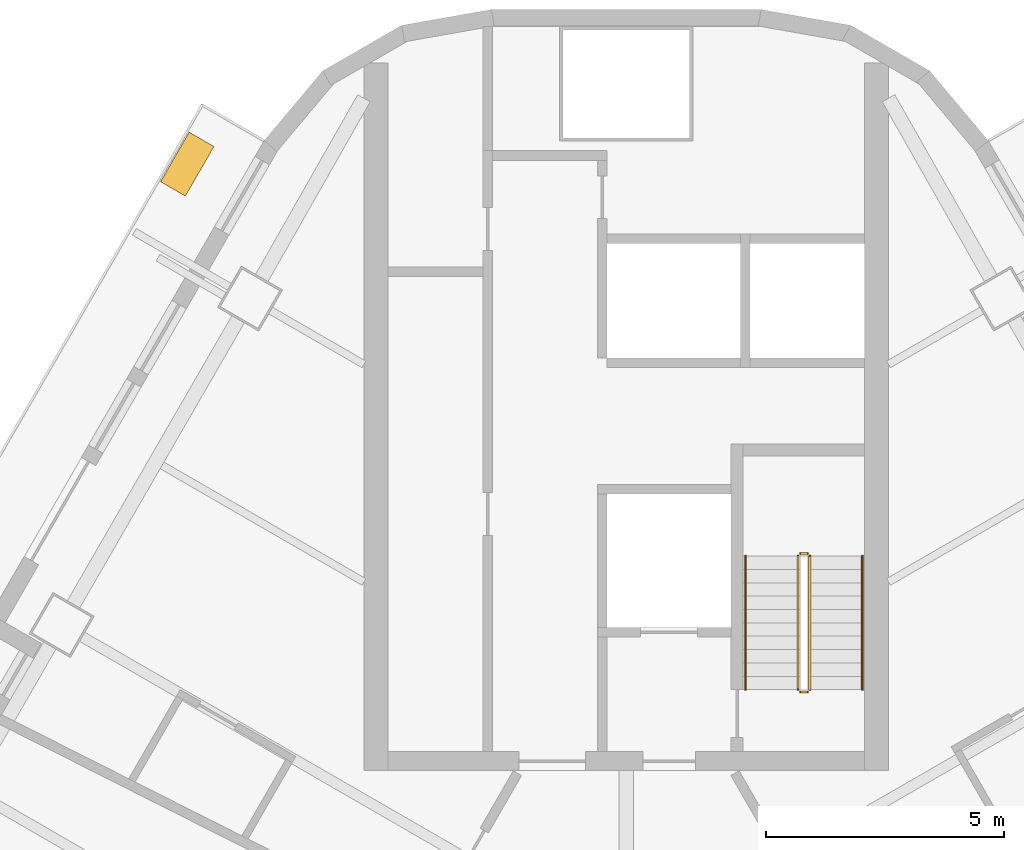
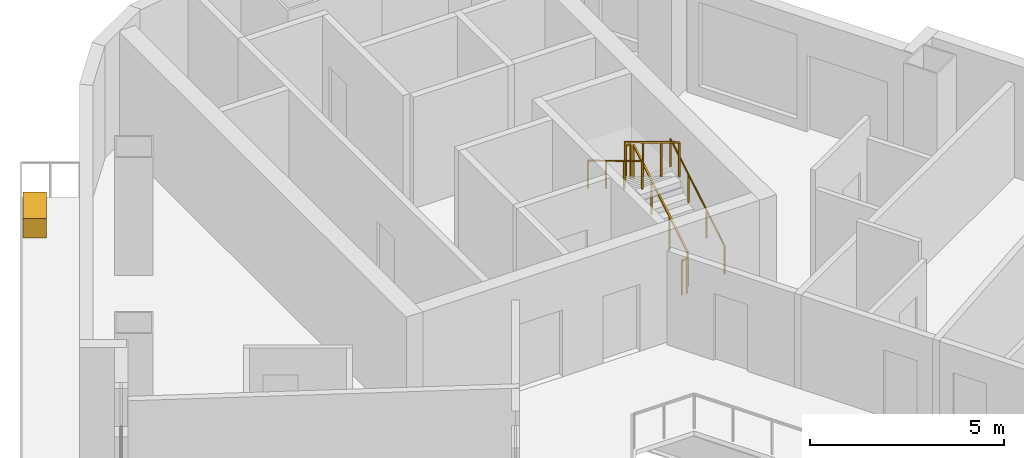
# One storey, part 14 of 14: 6 railings, 1 covering.
"""IFC4 building model written with IfcOpenShell, lengths in metres."""

from ifc_helpers import new_model, si_unit, direction, frame, origin, origin_2d, place, context, subcontext, project, spatial, rectangle, circle, extrude, material, type_object, element, save


model = new_model("IFC4")

# Units and contexts
model_context = context("Model", 3, precision=1e-05, world=origin(), true_north=direction((0.0, 1.0)))
body_context = subcontext(model_context, "Body", "Model", "MODEL_VIEW")
ifc_project = project(units=[si_unit("LENGTHUNIT", "METRE"), si_unit("AREAUNIT", "SQUARE_METRE"), si_unit("VOLUMEUNIT", "CUBIC_METRE"), si_unit("PLANEANGLEUNIT", "RADIAN"), si_unit("MASSUNIT", "GRAM", prefix="KILO")], contexts=[model_context])

# Site, building, storey
site_placement = place(None, origin())
site = spatial("IfcSite", under=ifc_project, at=site_placement, CompositionType="ELEMENT")
building_placement = place(site_placement, origin())
building = spatial("IfcBuilding", under=site, at=building_placement, Name="Apuvela Tower Hotel", CompositionType="ELEMENT")
storey_placement = place(building_placement, frame((0.0, 0.0, 50.199951171875)))
storey = spatial("IfcBuildingStorey", under=building, at=storey_placement, Name="L09", CompositionType="ELEMENT", Elevation=50.199951171875)

# Railings
ifc_material_1 = material(Name="Steel S275 balustrade", Category="steel")
railing_type_1 = type_object("IfcRailingType", Name="COR-GUARD-1100", PredefinedType="GUARDRAIL", material=ifc_material_1)
railing_1_placement = place(storey_placement, frame((3.85009765625, 14.60009765625, 0.168212890625)))
element("IfcRailing", 1, at=railing_1_placement, inside=storey, type_object=railing_type_1, Name="L09 ST1 stair guard 1", PredefinedType="GUARDRAIL", context=body_context, shape_type="SweptSolid", body=[
    extrude(rectangle(XDim=0.048095703125, YDim=0.048095703125, at=origin_2d()), frame((0.0, 0.0, 1.076171875), z_axis=(0.0, 0.857222391501, 0.514946377315), x_axis=(-1.0, 0.0, 0.0)), (0.0, 0.0, 1.0), 3.26611328125),
    extrude(rectangle(XDim=0.0419921875, YDim=0.0419921875, at=origin_2d()), origin(), (0.0, 0.0, 1.0), 1.052001953125),
    extrude(rectangle(XDim=0.0419921875, YDim=0.0419921875, at=origin_2d()), frame((0.0, 0.933349609375, 0.560546875)), (0.0, 0.0, 1.0), 1.052001953125),
    extrude(rectangle(XDim=0.0419921875, YDim=0.0419921875, at=origin_2d()), frame((0.0, 1.866455078125, 1.121337890625)), (0.0, 0.0, 1.0), 1.052001953125),
    extrude(rectangle(XDim=0.0419921875, YDim=0.0419921875, at=origin_2d()), frame((0.0, 2.7998046875, 1.681884765625)), (0.0, 0.0, 1.0), 1.052001953125),
])
railing_2_placement = place(storey_placement, frame((3.800048828125, 17.449951171875, 1.85009765625)))
element("IfcRailing", 2, at=railing_2_placement, inside=storey, type_object=railing_type_1, Name="L09 ST1 stair guard 2", PredefinedType="GUARDRAIL", context=body_context, shape_type="SweptSolid", body=[
    extrude(rectangle(XDim=0.048095703125, YDim=0.048095703125, at=origin_2d()), frame((0.0, 0.0, 1.076171875), z_axis=(-1.0, 0.0, 0.0), x_axis=(0.0, -1.0, 0.0)), (0.0, 0.0, 1.0), 0.150146484375),
    extrude(rectangle(XDim=0.0419921875, YDim=0.0419921875, at=origin_2d()), origin(), (0.0, 0.0, 1.0), 1.052001953125),
    extrude(rectangle(XDim=0.0419921875, YDim=0.0419921875, at=origin_2d()), frame((-0.150146484375, 0.0, 0.0)), (0.0, 0.0, 1.0), 1.052001953125),
])
railing_3_placement = place(storey_placement, frame((3.60009765625, 17.39990234375, 2.018310546875)))
element("IfcRailing", 3, at=railing_3_placement, inside=storey, type_object=railing_type_1, Name="L09 ST1 stair guard 3", PredefinedType="GUARDRAIL", context=body_context, shape_type="SweptSolid", body=[
    extrude(rectangle(XDim=0.048095703125, YDim=0.048095703125, at=origin_2d()), frame((0.0, 0.0, 1.076171875), z_axis=(0.0, -0.857255387014, 0.514891446264), x_axis=(1.0, 0.0, 0.0)), (0.0, 0.0, 1.0), 3.26611328125),
    extrude(rectangle(XDim=0.0419921875, YDim=0.0419921875, at=origin_2d()), origin(), (0.0, 0.0, 1.0), 1.052001953125),
    extrude(rectangle(XDim=0.0419921875, YDim=0.0419921875, at=origin_2d()), frame((0.0, -0.933349609375, 0.560546875)), (0.0, 0.0, 1.0), 1.052001953125),
    extrude(rectangle(XDim=0.0419921875, YDim=0.0419921875, at=origin_2d()), frame((0.0, -1.866455078125, 1.12109375)), (0.0, 0.0, 1.0), 1.052001953125),
    extrude(rectangle(XDim=0.0419921875, YDim=0.0419921875, at=origin_2d()), frame((0.0, -2.7998046875, 1.681640625)), (0.0, 0.0, 1.0), 1.052001953125),
])
railing_4_placement = place(storey_placement, frame((3.800048828125, 14.550048828125, 0.0)))
element("IfcRailing", 4, at=railing_4_placement, inside=storey, type_object=railing_type_1, Name="L09 ST1 stair guard 4", PredefinedType="GUARDRAIL", context=body_context, shape_type="SweptSolid", body=[
    extrude(rectangle(XDim=0.048095703125, YDim=0.048095703125, at=origin_2d()), frame((0.0, 0.0, 1.076171875), z_axis=(-1.0, 0.0, 0.0), x_axis=(0.0, -1.0, 0.0)), (0.0, 0.0, 1.0), 0.150146484375),
    extrude(rectangle(XDim=0.0419921875, YDim=0.0419921875, at=origin_2d()), origin(), (0.0, 0.0, 1.0), 1.052001953125),
    extrude(rectangle(XDim=0.0419921875, YDim=0.0419921875, at=origin_2d()), frame((-0.150146484375, 0.0, 0.0)), (0.0, 0.0, 1.0), 1.052001953125),
])
ifc_material_2 = material(Name="Stainless steel 316 handrail", Category="steel")
railing_type_2 = type_object("IfcRailingType", Name="COR-HANDRAIL-900", PredefinedType="HANDRAIL", material=ifc_material_2)
railing_5_placement = place(storey_placement, frame((4.949951171875, 14.60009765625, 0.168212890625)))
element("IfcRailing", 5, at=railing_5_placement, inside=storey, type_object=railing_type_2, Name="L09 ST1 stair handrail 1", PredefinedType="HANDRAIL", context=body_context, shape_type="SweptSolid", body=[
    extrude(circle(Radius=0.02392578125, at=origin_2d()), frame((0.0, 0.0, 0.8759765625), z_axis=(0.0, 0.857222391501, 0.514946377315), x_axis=(-1.0, 0.0, 0.0)), (0.0, 0.0, 1.0), 3.26611328125),
    extrude(rectangle(XDim=0.0419921875, YDim=0.0419921875, at=origin_2d()), origin(), (0.0, 0.0, 1.0), 0.851806640625),
    extrude(rectangle(XDim=0.0419921875, YDim=0.0419921875, at=origin_2d()), frame((0.0, 0.933349609375, 0.560546875)), (0.0, 0.0, 1.0), 0.851806640625),
    extrude(rectangle(XDim=0.0419921875, YDim=0.0419921875, at=origin_2d()), frame((0.0, 1.866455078125, 1.121337890625)), (0.0, 0.0, 1.0), 0.851806640625),
    extrude(rectangle(XDim=0.0419921875, YDim=0.0419921875, at=origin_2d()), frame((0.0, 2.7998046875, 1.681884765625)), (0.0, 0.0, 1.0), 0.851806640625),
])
railing_6_placement = place(storey_placement, frame((2.5, 17.39990234375, 2.018310546875)))
element("IfcRailing", 6, at=railing_6_placement, inside=storey, type_object=railing_type_2, Name="L09 ST1 stair handrail 2", PredefinedType="HANDRAIL", context=body_context, shape_type="SweptSolid", body=[
    extrude(circle(Radius=0.02392578125, at=origin_2d()), frame((0.0, 0.0, 0.8759765625), z_axis=(0.0, -0.857255387014, 0.514891446264), x_axis=(1.0, 0.0, 0.0)), (0.0, 0.0, 1.0), 3.26611328125),
    extrude(rectangle(XDim=0.0419921875, YDim=0.0419921875, at=origin_2d()), origin(), (0.0, 0.0, 1.0), 0.851806640625),
    extrude(rectangle(XDim=0.0419921875, YDim=0.0419921875, at=origin_2d()), frame((0.0, -0.933349609375, 0.560546875)), (0.0, 0.0, 1.0), 0.851806640625),
    extrude(rectangle(XDim=0.0419921875, YDim=0.0419921875, at=origin_2d()), frame((0.0, -1.866455078125, 1.12109375)), (0.0, 0.0, 1.0), 0.851806640625),
    extrude(rectangle(XDim=0.0419921875, YDim=0.0419921875, at=origin_2d()), frame((0.0, -2.7998046875, 1.681640625)), (0.0, 0.0, 1.0), 0.851806640625),
])

# Covering
ifc_material_3 = material(Name="Planting substrate and soil, planted")
covering_type = type_object("IfcCoveringType", Name="ENV-PLANTER-1200x600", PredefinedType="USERDEFINED", material=ifc_material_3)
covering_placement = place(storey_placement, frame((-9.20361328125, 25.618896484375, 0.0), z_axis=(0.0, 0.0, 1.0), x_axis=(-0.5, -0.866025403784, 0.0)))
element("IfcCovering", 7, at=covering_placement, inside=storey, type_object=covering_type, Name="Planter NW3", ObjectType="PLANTER", PredefinedType="USERDEFINED", context=body_context, shape_type="SweptSolid", body=[
    extrude(rectangle(XDim=1.199951171875, YDim=0.60009765625, at=origin_2d()), origin(), (0.0, 0.0, 1.0), 0.60009765625),
])

save(model, "model.ifc")
